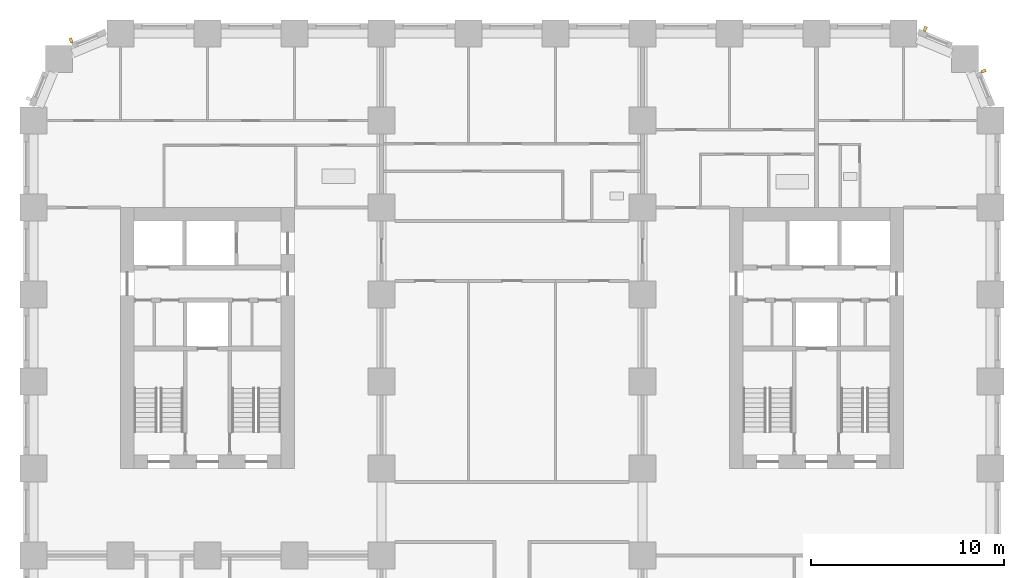
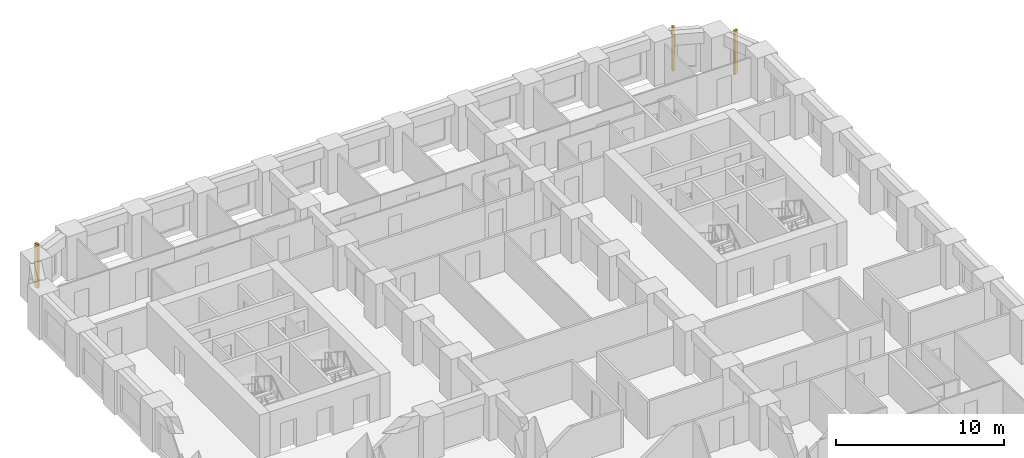
# One storey, part 12 of 13: 3 shading devices.
"""IFC4 building model written with IfcOpenShell, lengths in metres."""

from ifc_helpers import new_model, si_unit, direction, frame, origin, origin_2d, place, context, subcontext, project, spatial, rectangle, extrude, material, type_object, element, save


model = new_model("IFC4")

# Units and contexts
model_context = context("Model", 3, precision=1e-05, world=origin(), true_north=direction((0.0, 1.0)))
body_context = subcontext(model_context, "Body", "Model", "MODEL_VIEW")
ifc_project = project(units=[si_unit("LENGTHUNIT", "METRE"), si_unit("AREAUNIT", "SQUARE_METRE"), si_unit("VOLUMEUNIT", "CUBIC_METRE"), si_unit("PLANEANGLEUNIT", "RADIAN"), si_unit("MASSUNIT", "GRAM", prefix="KILO")], contexts=[model_context])

# Site, building, storey
site_placement = place(None, origin())
site = spatial("IfcSite", under=ifc_project, at=site_placement, CompositionType="ELEMENT")
building_placement = place(site_placement, origin())
building = spatial("IfcBuilding", under=site, at=building_placement, Name="Girih Gate Residences", CompositionType="ELEMENT")
storey_placement = place(building_placement, frame((0.0, 0.0, 43.199951171875)))
storey = spatial("IfcBuildingStorey", under=building, at=storey_placement, Name="L10", CompositionType="ELEMENT", Elevation=43.199951171875)

# Shading devices
ifc_material = material(Name="Precast concrete C50/60", Category="concrete")
shading_device_type = type_object("IfcShadingDeviceType", Name="Corner rib 150x250", PredefinedType="USERDEFINED", material=ifc_material)
for number, where, z_axis, x_axis, name in (
    (1, (49.14501953125, 47.5556640625, 0.0), (0.0, 0.0, 1.0), (-0.382683432365, 0.923879532511, 0.0), "Corner rib NE0495_0450.0"),
    (2, (46.123779296875, 49.738037109375, 0.0), (0.0, 0.0, 1.0), (-0.923879532511, 0.382683432365, 0.0), "Corner rib NE0482_0482.0"),
    (3, (1.9443359375, 49.14501953125, 0.0), (0.0, 0.0, 1.0), (-0.923879532511, -0.382683432365, 0.0), "Corner rib NW0045_0495.0"),
):
    element("IfcShadingDevice", number, at=place(storey_placement, frame(where, z_axis=z_axis, x_axis=x_axis)), inside=storey, type_object=shading_device_type, Name=name, ObjectType="FIN", PredefinedType="USERDEFINED", context=body_context, shape_type="SweptSolid", body=[
        extrude(rectangle(XDim=0.14990234375, YDim=0.25, at=origin_2d()), origin(), (0.0, 0.0, 1.0), 3.199951171875),
    ])

save(model, "model.ifc")
